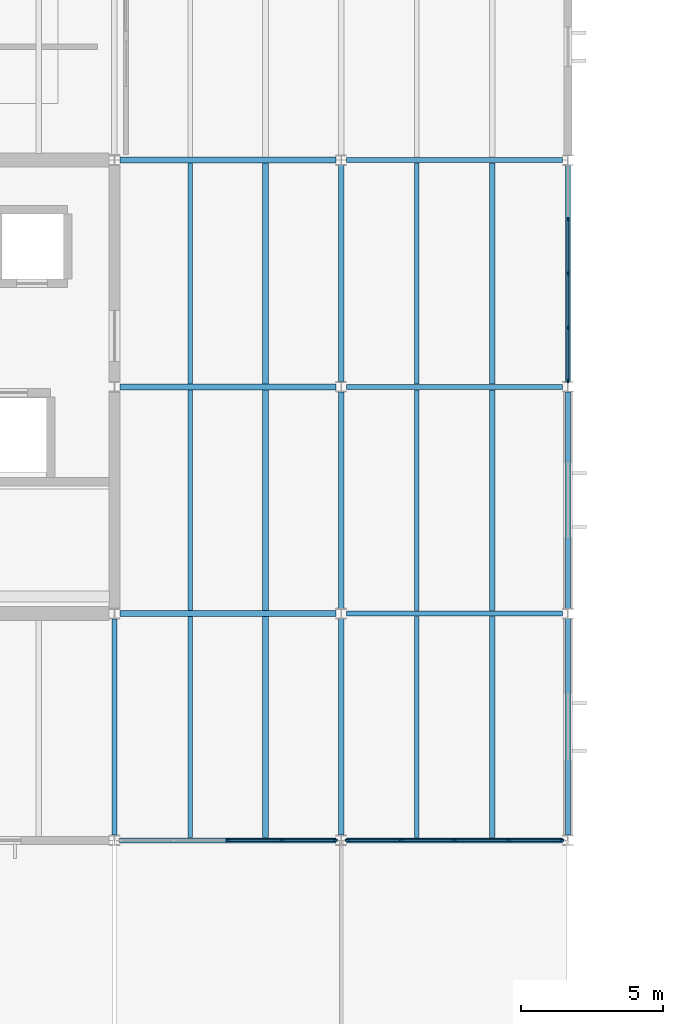
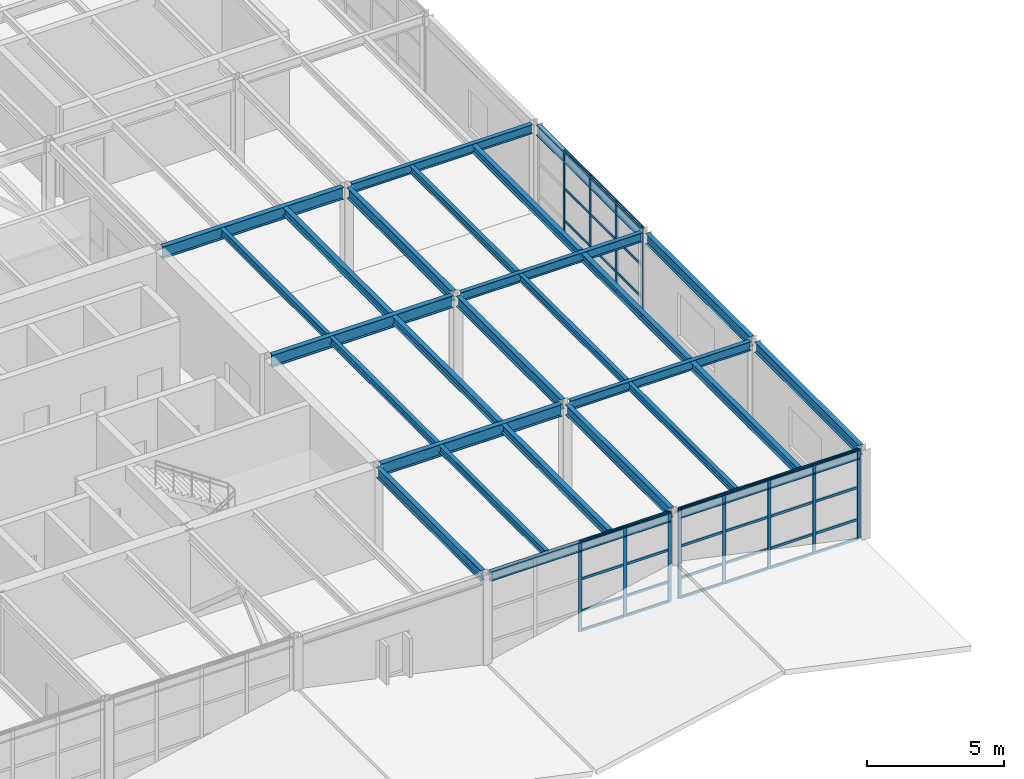
# One storey, part 10 of 34: 48 members, 27 beams, 3 elements without a shape of their own.
"""IFC4 building model written with IfcOpenShell, lengths in metres."""

from ifc_helpers import new_model, si_unit, direction, frame, origin, origin_2d, place, context, subcontext, project, spatial, rectangle, i_section, extrude, material, layer, layer_set, material_profile, profile_set, type_object, element, aggregate, save


model = new_model("IFC4")

# Units and contexts
model_context = context("Model", 3, precision=1e-05, world=origin(), true_north=direction((0.0, 1.0)))
body_context = subcontext(model_context, "Body", "Model", "MODEL_VIEW")
ifc_project = project(units=[si_unit("LENGTHUNIT", "METRE"), si_unit("AREAUNIT", "SQUARE_METRE"), si_unit("VOLUMEUNIT", "CUBIC_METRE"), si_unit("PLANEANGLEUNIT", "RADIAN"), si_unit("MASSUNIT", "GRAM", prefix="KILO")], contexts=[model_context])

# Site, building, storey
site_placement = place(None, origin())
site = spatial("IfcSite", under=ifc_project, at=site_placement, CompositionType="ELEMENT")
building_placement = place(site_placement, origin())
building = spatial("IfcBuilding", under=site, at=building_placement, Name="Varnela Railside Interchange", CompositionType="ELEMENT")
storey_placement = place(building_placement, frame((0.0, 0.0, 19.60009765625)))
storey = spatial("IfcBuildingStorey", under=building, at=storey_placement, Name="L04", CompositionType="ELEMENT", Elevation=19.60009765625)

# Beams
ifc_material_1 = material(Name="Steel AR 350 (350 MPa)", Category="steel")
ifc_material_profile_1 = material_profile(ifc_material_1, i_section(OverallWidth=0.1650390625, OverallDepth=0.31005859375, WebThickness=0.005859375, FlangeThickness=0.009765625, at=origin_2d()), Name="W310x38.7")
ifc_profile_set_1 = profile_set([ifc_material_profile_1], Name="Steel AR 350 (350 MPa)")
beam_type_1 = type_object("IfcBeamType", Name="Composite Floor Joist J-04", PredefinedType="JOIST", material=ifc_profile_set_1)
for number, where, z_axis, x_axis, name in (
    (1, (38.669921875, 46.1044921875, 3.864990234375), (0.0, 1.0, 0.0), (-1.0, 0.0, 0.0), "Composite Floor Joist J-04 (L04) (BM-2404)"),
    (2, (38.669921875, 54.1044921875, 3.864990234375), (0.0, 1.0, 0.0), (-1.0, 0.0, 0.0), "Composite Floor Joist J-04 (L04) (BM-2406)"),
    (3, (38.669921875, 62.1044921875, 3.864990234375), (0.0, 1.0, 0.0), (-1.0, 0.0, 0.0), "Composite Floor Joist J-04 (L04) (BM-2408)"),
    (4, (46.669921875, 46.1044921875, 3.864990234375), (0.0, 1.0, 0.0), (-1.0, 0.0, 0.0), "Composite Floor Joist J-04 (L04) (BM-2416)"),
    (5, (46.669921875, 54.1044921875, 3.864990234375), (0.0, 1.0, 0.0), (-1.0, 0.0, 0.0), "Composite Floor Joist J-04 (L04) (BM-2418)"),
    (6, (46.669921875, 62.1044921875, 3.864990234375), (0.0, 1.0, 0.0), (-1.0, 0.0, 0.0), "Composite Floor Joist J-04 (L04) (BM-2420)"),
):
    element("IfcBeam", number, at=place(storey_placement, frame(where, z_axis=z_axis, x_axis=x_axis)), inside=storey, type_object=beam_type_1, Name=name, PredefinedType="JOIST", context=body_context, shape_type="SweptSolid", body=[
        extrude(i_section(OverallWidth=0.1650390625, OverallDepth=0.31005859375, WebThickness=0.005859375, FlangeThickness=0.009765625, at=origin_2d()), origin(), (0.0, 0.0, 1.0), 7.791015625),
    ])
ifc_material_profile_2 = material_profile(ifc_material_1, i_section(OverallWidth=0.208984375, OverallDepth=0.532958984375, WebThickness=0.01025390625, FlangeThickness=0.015625, at=origin_2d()), Name="W530x92")
ifc_profile_set_2 = profile_set([ifc_material_profile_2], Name="Steel AR 350 (350 MPa)")
beam_type_2 = type_object("IfcBeamType", Name="Composite Girder B-18", PredefinedType="BEAM", material=ifc_profile_set_2)
for number, where, z_axis, x_axis, name in (
    (7, (36.1865234375, 54.0, 3.75341796875), (1.0, 0.0, 0.0), (0.0, 1.0, 0.0), "Composite Girder B-18 (L04) (BM-2435)"),
    (8, (36.1865234375, 62.0, 3.75341796875), (1.0, 0.0, 0.0), (0.0, 1.0, 0.0), "Composite Girder B-18 (L04) (BM-2441)"),
    (9, (36.1865234375, 70.0, 3.75341796875), (1.0, 0.0, 0.0), (0.0, 1.0, 0.0), "Composite Girder B-18 (L04) (BM-2447)"),
):
    element("IfcBeam", number, at=place(storey_placement, frame(where, z_axis=z_axis, x_axis=x_axis)), inside=storey, type_object=beam_type_2, Name=name, PredefinedType="BEAM", context=body_context, shape_type="SweptSolid", body=[
        extrude(i_section(OverallWidth=0.208984375, OverallDepth=0.532958984375, WebThickness=0.01025390625, FlangeThickness=0.015625, at=origin_2d()), origin(), (0.0, 0.0, 1.0), 7.62841796875),
    ])
ifc_material_profile_3 = material_profile(ifc_material_1, i_section(OverallWidth=0.202880859375, OverallDepth=0.346923828125, WebThickness=0.0078125, FlangeThickness=0.013427734375, at=origin_2d()), Name="W360x64")
ifc_profile_set_3 = profile_set([ifc_material_profile_3], Name="Steel AR 350 (350 MPa)")
beam_type_3 = type_object("IfcBeamType", Name="Composite Heavy Joist J-01", PredefinedType="JOIST", material=ifc_profile_set_3)
for number, where, z_axis, x_axis, name in (
    (10, (41.330078125, 46.1044921875, 3.846435546875), (0.0, 1.0, 0.0), (-1.0, 0.0, 0.0), "Composite Heavy Joist J-01 (L04) (BM-2405)"),
    (11, (41.330078125, 54.1044921875, 3.846435546875), (0.0, 1.0, 0.0), (-1.0, 0.0, 0.0), "Composite Heavy Joist J-01 (L04) (BM-2407)"),
    (12, (41.330078125, 62.1044921875, 3.846435546875), (0.0, 1.0, 0.0), (-1.0, 0.0, 0.0), "Composite Heavy Joist J-01 (L04) (BM-2409)"),
    (13, (49.330078125, 46.1044921875, 3.846435546875), (0.0, 1.0, 0.0), (-1.0, 0.0, 0.0), "Composite Heavy Joist J-01 (L04) (BM-2417)"),
    (14, (49.330078125, 54.1044921875, 3.846435546875), (0.0, 1.0, 0.0), (-1.0, 0.0, 0.0), "Composite Heavy Joist J-01 (L04) (BM-2419)"),
    (15, (49.330078125, 62.1044921875, 3.846435546875), (0.0, 1.0, 0.0), (-1.0, 0.0, 0.0), "Composite Heavy Joist J-01 (L04) (BM-2421)"),
):
    element("IfcBeam", number, at=place(storey_placement, frame(where, z_axis=z_axis, x_axis=x_axis)), inside=storey, type_object=beam_type_3, Name=name, PredefinedType="JOIST", context=body_context, shape_type="SweptSolid", body=[
        extrude(i_section(OverallWidth=0.202880859375, OverallDepth=0.346923828125, WebThickness=0.0078125, FlangeThickness=0.013427734375, at=origin_2d()), origin(), (0.0, 0.0, 1.0), 7.791015625),
    ])
ifc_material_profile_4 = material_profile(ifc_material_1, i_section(OverallWidth=0.194091796875, OverallDepth=0.468994140625, WebThickness=0.0126953125, FlangeThickness=0.0205078125, at=origin_2d()), Name="W460x106")
ifc_profile_set_4 = profile_set([ifc_material_profile_4], Name="Steel AR 350 (350 MPa)")
beam_type_4 = type_object("IfcBeamType", Name="Composite Primary Beam B-19", PredefinedType="BEAM", material=ifc_profile_set_4)
for number, where, z_axis, x_axis, name in (
    (16, (44.0, 54.179931640625, 3.785400390625), (0.0, 1.0, 0.0), (-1.0, 0.0, 0.0), "Composite Primary Beam B-19 (L04) (BM-2520)"),
    (17, (44.0, 62.179931640625, 3.785400390625), (0.0, 1.0, 0.0), (-1.0, 0.0, 0.0), "Composite Primary Beam B-19 (L04) (BM-2521)"),
):
    element("IfcBeam", number, at=place(storey_placement, frame(where, z_axis=z_axis, x_axis=x_axis)), inside=storey, type_object=beam_type_4, Name=name, PredefinedType="BEAM", context=body_context, shape_type="SweptSolid", body=[
        extrude(i_section(OverallWidth=0.194091796875, OverallDepth=0.468994140625, WebThickness=0.0126953125, FlangeThickness=0.0205078125, at=origin_2d()), origin(), (0.0, 0.0, 1.0), 7.64013671875),
    ])

# Curtain wall, members
ifc_material_2 = material(Name="Aluminium 6063-T6", Category="aluminium")
ifc_layer = layer(ifc_material_2, 0.035888671875)
ifc_layer_set = layer_set([ifc_layer], Name="Aluminium 6063-T6")
curtain_wall_type = type_object("IfcCurtainWallType", Name="Operations Wing Facade Curtain Wall CW-03", PredefinedType="USERDEFINED", material=ifc_layer_set)
curtain_wall_1_placement = place(storey_placement, origin())
curtain_wall_1 = element("IfcCurtainWall", 18, at=curtain_wall_1_placement, inside=storey, type_object=curtain_wall_type, Name="Curtain Wall CW-03 (L04) (CW-102)", ObjectType="CURTAIN WALL", PredefinedType="USERDEFINED")
ifc_material_profile_5 = material_profile(ifc_material_2, rectangle(XDim=0.06005859375, YDim=0.139892578125, at=origin_2d()), Name="ALU 60x140")
ifc_profile_set_5 = profile_set([ifc_material_profile_5], Name="Aluminium 6063-T6")
member_type_1 = type_object("IfcMemberType", Name="Curtain Wall Mullion ML-01", PredefinedType="MULLION", material=ifc_profile_set_5)
member_1_placement = place(storey_placement, frame((51.784912109375, 46.0, 0.0), z_axis=(0.0, 0.0, 1.0), x_axis=(0.0, -1.0, 0.0)))
member_1 = element("IfcMember", 19, at=member_1_placement, type_object=member_type_1, Name="CW-03 mullion 1", PredefinedType="MULLION", context=body_context, shape_type="SweptSolid", body=[
    extrude(rectangle(XDim=0.06005859375, YDim=0.139892578125, at=origin_2d()), origin(), (0.0, 0.0, 1.0), 4.02001953125),
])
member_2_placement = place(storey_placement, frame((49.907470703125, 46.0, 0.0), z_axis=(0.0, 0.0, 1.0), x_axis=(0.0, -1.0, 0.0)))
member_2 = element("IfcMember", 20, at=member_2_placement, type_object=member_type_1, Name="CW-03 mullion 2", PredefinedType="MULLION", context=body_context, shape_type="SweptSolid", body=[
    extrude(rectangle(XDim=0.06005859375, YDim=0.139892578125, at=origin_2d()), origin(), (0.0, 0.0, 1.0), 4.02001953125),
])
member_3_placement = place(storey_placement, frame((48.0, 46.0, 0.0), z_axis=(0.0, 0.0, 1.0), x_axis=(0.0, -1.0, 0.0)))
member_3 = element("IfcMember", 21, at=member_3_placement, type_object=member_type_1, Name="CW-03 mullion 3", PredefinedType="MULLION", context=body_context, shape_type="SweptSolid", body=[
    extrude(rectangle(XDim=0.06005859375, YDim=0.139892578125, at=origin_2d()), origin(), (0.0, 0.0, 1.0), 4.02001953125),
])
member_4_placement = place(storey_placement, frame((46.092529296875, 46.0, 0.0), z_axis=(0.0, 0.0, 1.0), x_axis=(0.0, -1.0, 0.0)))
member_4 = element("IfcMember", 22, at=member_4_placement, type_object=member_type_1, Name="CW-03 mullion 4", PredefinedType="MULLION", context=body_context, shape_type="SweptSolid", body=[
    extrude(rectangle(XDim=0.06005859375, YDim=0.139892578125, at=origin_2d()), origin(), (0.0, 0.0, 1.0), 4.02001953125),
])
member_5_placement = place(storey_placement, frame((44.215087890625, 46.0, 0.0), z_axis=(0.0, 0.0, 1.0), x_axis=(0.0, -1.0, 0.0)))
member_5 = element("IfcMember", 23, at=member_5_placement, type_object=member_type_1, Name="CW-03 mullion 5", PredefinedType="MULLION", context=body_context, shape_type="SweptSolid", body=[
    extrude(rectangle(XDim=0.06005859375, YDim=0.139892578125, at=origin_2d()), origin(), (0.0, 0.0, 1.0), 4.02001953125),
])

curtain_wall_2_placement = place(storey_placement, origin())
curtain_wall_2 = element("IfcCurtainWall", 24, at=curtain_wall_2_placement, inside=storey, type_object=curtain_wall_type, Name="Curtain Wall CW-03 (L04) (CW-110)", ObjectType="CURTAIN WALL", PredefinedType="USERDEFINED")
member_6_placement = place(storey_placement, frame((43.784912109375, 46.0, 0.0), z_axis=(0.0, 0.0, 1.0), x_axis=(0.0, -1.0, 0.0)))
member_6 = element("IfcMember", 25, at=member_6_placement, type_object=member_type_1, Name="CW-03 mullion 1", PredefinedType="MULLION", context=body_context, shape_type="SweptSolid", body=[
    extrude(rectangle(XDim=0.06005859375, YDim=0.139892578125, at=origin_2d()), origin(), (0.0, 0.0, 1.0), 4.02001953125),
])
member_7_placement = place(storey_placement, frame((41.907470703125, 46.0, 0.0), z_axis=(0.0, 0.0, 1.0), x_axis=(0.0, -1.0, 0.0)))
member_7 = element("IfcMember", 26, at=member_7_placement, type_object=member_type_1, Name="CW-03 mullion 2", PredefinedType="MULLION", context=body_context, shape_type="SweptSolid", body=[
    extrude(rectangle(XDim=0.06005859375, YDim=0.139892578125, at=origin_2d()), origin(), (0.0, 0.0, 1.0), 4.02001953125),
])
member_8_placement = place(storey_placement, frame((40.0, 46.0, 0.0), z_axis=(0.0, 0.0, 1.0), x_axis=(0.0, -1.0, 0.0)))
member_8 = element("IfcMember", 27, at=member_8_placement, type_object=member_type_1, Name="CW-03 mullion 3", PredefinedType="MULLION", context=body_context, shape_type="SweptSolid", body=[
    extrude(rectangle(XDim=0.06005859375, YDim=0.139892578125, at=origin_2d()), origin(), (0.0, 0.0, 1.0), 4.02001953125),
])

curtain_wall_3_placement = place(storey_placement, origin())
curtain_wall_3 = element("IfcCurtainWall", 28, at=curtain_wall_3_placement, inside=storey, type_object=curtain_wall_type, Name="Curtain Wall CW-03 (L04) (CW-112)", ObjectType="CURTAIN WALL", PredefinedType="USERDEFINED")
member_9_placement = place(storey_placement, frame((52.0, 67.909912109375, 0.0), z_axis=(0.0, 0.0, 1.0), x_axis=(1.0, 0.0, 0.0)))
member_9 = element("IfcMember", 29, at=member_9_placement, type_object=member_type_1, Name="CW-03 mullion 2", PredefinedType="MULLION", context=body_context, shape_type="SweptSolid", body=[
    extrude(rectangle(XDim=0.06005859375, YDim=0.139892578125, at=origin_2d()), origin(), (0.0, 0.0, 1.0), 4.02001953125),
])
member_10_placement = place(storey_placement, frame((52.0, 66.0, 0.0), z_axis=(0.0, 0.0, 1.0), x_axis=(1.0, 0.0, 0.0)))
member_10 = element("IfcMember", 30, at=member_10_placement, type_object=member_type_1, Name="CW-03 mullion 3", PredefinedType="MULLION", context=body_context, shape_type="SweptSolid", body=[
    extrude(rectangle(XDim=0.06005859375, YDim=0.139892578125, at=origin_2d()), origin(), (0.0, 0.0, 1.0), 4.02001953125),
])
member_11_placement = place(storey_placement, frame((52.0, 64.090087890625, 0.0), z_axis=(0.0, 0.0, 1.0), x_axis=(1.0, 0.0, 0.0)))
member_11 = element("IfcMember", 31, at=member_11_placement, type_object=member_type_1, Name="CW-03 mullion 4", PredefinedType="MULLION", context=body_context, shape_type="SweptSolid", body=[
    extrude(rectangle(XDim=0.06005859375, YDim=0.139892578125, at=origin_2d()), origin(), (0.0, 0.0, 1.0), 4.02001953125),
])
member_12_placement = place(storey_placement, frame((52.0, 62.2099609375, 0.0), z_axis=(0.0, 0.0, 1.0), x_axis=(1.0, 0.0, 0.0)))
member_12 = element("IfcMember", 32, at=member_12_placement, type_object=member_type_1, Name="CW-03 mullion 5", PredefinedType="MULLION", context=body_context, shape_type="SweptSolid", body=[
    extrude(rectangle(XDim=0.06005859375, YDim=0.139892578125, at=origin_2d()), origin(), (0.0, 0.0, 1.0), 4.02001953125),
])

# Member
ifc_material_profile_6 = material_profile(ifc_material_2, rectangle(XDim=0.06005859375, YDim=0.110107421875, at=origin_2d()), Name="ALU 60x110")
ifc_profile_set_6 = profile_set([ifc_material_profile_6], Name="Aluminium 6063-T6")
member_type_2 = type_object("IfcMemberType", Name="Curtain Wall Transom TR-01", PredefinedType="USERDEFINED", material=ifc_profile_set_6)
member_13_placement = place(storey_placement, frame((51.7548828125, 46.0, 0.02978515625), z_axis=(-1.0, 0.0, 0.0), x_axis=(0.0, -1.0, 0.0)))
member_13 = element("IfcMember", 33, at=member_13_placement, type_object=member_type_2, Name="CW-03 transom 1.1", ObjectType="TRANSOM", PredefinedType="USERDEFINED", context=body_context, shape_type="SweptSolid", body=[
    extrude(rectangle(XDim=0.06005859375, YDim=0.110107421875, at=origin_2d()), origin(), (0.0, 0.0, 1.0), 1.8173828125),
])

member_14_placement = place(storey_placement, frame((51.7548828125, 46.0, 0.89990234375), z_axis=(-1.0, 0.0, 0.0), x_axis=(0.0, -1.0, 0.0)))
member_14 = element("IfcMember", 34, at=member_14_placement, type_object=member_type_2, Name="CW-03 transom 1.2", ObjectType="TRANSOM", PredefinedType="USERDEFINED", context=body_context, shape_type="SweptSolid", body=[
    extrude(rectangle(XDim=0.06005859375, YDim=0.110107421875, at=origin_2d()), origin(), (0.0, 0.0, 1.0), 1.8173828125),
])

member_15_placement = place(storey_placement, frame((51.7548828125, 46.0, 2.33154296875), z_axis=(-1.0, 0.0, 0.0), x_axis=(0.0, -1.0, 0.0)))
member_15 = element("IfcMember", 35, at=member_15_placement, type_object=member_type_2, Name="CW-03 transom 1.3", ObjectType="TRANSOM", PredefinedType="USERDEFINED", context=body_context, shape_type="SweptSolid", body=[
    extrude(rectangle(XDim=0.06005859375, YDim=0.110107421875, at=origin_2d()), origin(), (0.0, 0.0, 1.0), 1.8173828125),
])

member_16_placement = place(storey_placement, frame((51.7548828125, 46.0, 3.989990234375), z_axis=(-1.0, 0.0, 0.0), x_axis=(0.0, -1.0, 0.0)))
member_16 = element("IfcMember", 36, at=member_16_placement, type_object=member_type_2, Name="CW-03 transom 1.4", ObjectType="TRANSOM", PredefinedType="USERDEFINED", context=body_context, shape_type="SweptSolid", body=[
    extrude(rectangle(XDim=0.06005859375, YDim=0.110107421875, at=origin_2d()), origin(), (0.0, 0.0, 1.0), 1.8173828125),
])

member_17_placement = place(storey_placement, frame((49.87744140625, 46.0, 0.02978515625), z_axis=(-1.0, 0.0, 0.0), x_axis=(0.0, -1.0, 0.0)))
member_17 = element("IfcMember", 37, at=member_17_placement, type_object=member_type_2, Name="CW-03 transom 2.1", ObjectType="TRANSOM", PredefinedType="USERDEFINED", context=body_context, shape_type="SweptSolid", body=[
    extrude(rectangle(XDim=0.06005859375, YDim=0.110107421875, at=origin_2d()), origin(), (0.0, 0.0, 1.0), 1.847412109375),
])

member_18_placement = place(storey_placement, frame((49.87744140625, 46.0, 0.89990234375), z_axis=(-1.0, 0.0, 0.0), x_axis=(0.0, -1.0, 0.0)))
member_18 = element("IfcMember", 38, at=member_18_placement, type_object=member_type_2, Name="CW-03 transom 2.2", ObjectType="TRANSOM", PredefinedType="USERDEFINED", context=body_context, shape_type="SweptSolid", body=[
    extrude(rectangle(XDim=0.06005859375, YDim=0.110107421875, at=origin_2d()), origin(), (0.0, 0.0, 1.0), 1.847412109375),
])

member_19_placement = place(storey_placement, frame((49.87744140625, 46.0, 2.33154296875), z_axis=(-1.0, 0.0, 0.0), x_axis=(0.0, -1.0, 0.0)))
member_19 = element("IfcMember", 39, at=member_19_placement, type_object=member_type_2, Name="CW-03 transom 2.3", ObjectType="TRANSOM", PredefinedType="USERDEFINED", context=body_context, shape_type="SweptSolid", body=[
    extrude(rectangle(XDim=0.06005859375, YDim=0.110107421875, at=origin_2d()), origin(), (0.0, 0.0, 1.0), 1.847412109375),
])

member_20_placement = place(storey_placement, frame((49.87744140625, 46.0, 3.989990234375), z_axis=(-1.0, 0.0, 0.0), x_axis=(0.0, -1.0, 0.0)))
member_20 = element("IfcMember", 40, at=member_20_placement, type_object=member_type_2, Name="CW-03 transom 2.4", ObjectType="TRANSOM", PredefinedType="USERDEFINED", context=body_context, shape_type="SweptSolid", body=[
    extrude(rectangle(XDim=0.06005859375, YDim=0.110107421875, at=origin_2d()), origin(), (0.0, 0.0, 1.0), 1.847412109375),
])

member_21_placement = place(storey_placement, frame((47.969970703125, 46.0, 0.02978515625), z_axis=(-1.0, 0.0, 0.0), x_axis=(0.0, -1.0, 0.0)))
member_21 = element("IfcMember", 41, at=member_21_placement, type_object=member_type_2, Name="CW-03 transom 3.1", ObjectType="TRANSOM", PredefinedType="USERDEFINED", context=body_context, shape_type="SweptSolid", body=[
    extrude(rectangle(XDim=0.06005859375, YDim=0.110107421875, at=origin_2d()), origin(), (0.0, 0.0, 1.0), 1.847412109375),
])

member_22_placement = place(storey_placement, frame((47.969970703125, 46.0, 0.89990234375), z_axis=(-1.0, 0.0, 0.0), x_axis=(0.0, -1.0, 0.0)))
member_22 = element("IfcMember", 42, at=member_22_placement, type_object=member_type_2, Name="CW-03 transom 3.2", ObjectType="TRANSOM", PredefinedType="USERDEFINED", context=body_context, shape_type="SweptSolid", body=[
    extrude(rectangle(XDim=0.06005859375, YDim=0.110107421875, at=origin_2d()), origin(), (0.0, 0.0, 1.0), 1.847412109375),
])

member_23_placement = place(storey_placement, frame((47.969970703125, 46.0, 2.33154296875), z_axis=(-1.0, 0.0, 0.0), x_axis=(0.0, -1.0, 0.0)))
member_23 = element("IfcMember", 43, at=member_23_placement, type_object=member_type_2, Name="CW-03 transom 3.3", ObjectType="TRANSOM", PredefinedType="USERDEFINED", context=body_context, shape_type="SweptSolid", body=[
    extrude(rectangle(XDim=0.06005859375, YDim=0.110107421875, at=origin_2d()), origin(), (0.0, 0.0, 1.0), 1.847412109375),
])

member_24_placement = place(storey_placement, frame((47.969970703125, 46.0, 3.989990234375), z_axis=(-1.0, 0.0, 0.0), x_axis=(0.0, -1.0, 0.0)))
member_24 = element("IfcMember", 44, at=member_24_placement, type_object=member_type_2, Name="CW-03 transom 3.4", ObjectType="TRANSOM", PredefinedType="USERDEFINED", context=body_context, shape_type="SweptSolid", body=[
    extrude(rectangle(XDim=0.06005859375, YDim=0.110107421875, at=origin_2d()), origin(), (0.0, 0.0, 1.0), 1.847412109375),
])

member_25_placement = place(storey_placement, frame((46.0625, 46.0, 0.02978515625), z_axis=(-1.0, 0.0, 0.0), x_axis=(0.0, -1.0, 0.0)))
member_25 = element("IfcMember", 45, at=member_25_placement, type_object=member_type_2, Name="CW-03 transom 4.1", ObjectType="TRANSOM", PredefinedType="USERDEFINED", context=body_context, shape_type="SweptSolid", body=[
    extrude(rectangle(XDim=0.06005859375, YDim=0.110107421875, at=origin_2d()), origin(), (0.0, 0.0, 1.0), 1.8173828125),
])

member_26_placement = place(storey_placement, frame((46.0625, 46.0, 0.89990234375), z_axis=(-1.0, 0.0, 0.0), x_axis=(0.0, -1.0, 0.0)))
member_26 = element("IfcMember", 46, at=member_26_placement, type_object=member_type_2, Name="CW-03 transom 4.2", ObjectType="TRANSOM", PredefinedType="USERDEFINED", context=body_context, shape_type="SweptSolid", body=[
    extrude(rectangle(XDim=0.06005859375, YDim=0.110107421875, at=origin_2d()), origin(), (0.0, 0.0, 1.0), 1.8173828125),
])

member_27_placement = place(storey_placement, frame((46.0625, 46.0, 2.33154296875), z_axis=(-1.0, 0.0, 0.0), x_axis=(0.0, -1.0, 0.0)))
member_27 = element("IfcMember", 47, at=member_27_placement, type_object=member_type_2, Name="CW-03 transom 4.3", ObjectType="TRANSOM", PredefinedType="USERDEFINED", context=body_context, shape_type="SweptSolid", body=[
    extrude(rectangle(XDim=0.06005859375, YDim=0.110107421875, at=origin_2d()), origin(), (0.0, 0.0, 1.0), 1.8173828125),
])

member_28_placement = place(storey_placement, frame((46.0625, 46.0, 3.989990234375), z_axis=(-1.0, 0.0, 0.0), x_axis=(0.0, -1.0, 0.0)))
member_28 = element("IfcMember", 48, at=member_28_placement, type_object=member_type_2, Name="CW-03 transom 4.4", ObjectType="TRANSOM", PredefinedType="USERDEFINED", context=body_context, shape_type="SweptSolid", body=[
    extrude(rectangle(XDim=0.06005859375, YDim=0.110107421875, at=origin_2d()), origin(), (0.0, 0.0, 1.0), 1.8173828125),
])

aggregate(curtain_wall_1, [member_1, member_2, member_3, member_4, member_5, member_13, member_14, member_15, member_16, member_17, member_18, member_19, member_20, member_21, member_22, member_23, member_24, member_25, member_26, member_27, member_28])

member_29_placement = place(storey_placement, frame((43.7548828125, 46.0, 0.02978515625), z_axis=(-1.0, 0.0, 0.0), x_axis=(0.0, -1.0, 0.0)))
member_29 = element("IfcMember", 49, at=member_29_placement, type_object=member_type_2, Name="CW-03 transom 1.1", ObjectType="TRANSOM", PredefinedType="USERDEFINED", context=body_context, shape_type="SweptSolid", body=[
    extrude(rectangle(XDim=0.06005859375, YDim=0.110107421875, at=origin_2d()), origin(), (0.0, 0.0, 1.0), 1.8173828125),
])

member_30_placement = place(storey_placement, frame((43.7548828125, 46.0, 0.89990234375), z_axis=(-1.0, 0.0, 0.0), x_axis=(0.0, -1.0, 0.0)))
member_30 = element("IfcMember", 50, at=member_30_placement, type_object=member_type_2, Name="CW-03 transom 1.2", ObjectType="TRANSOM", PredefinedType="USERDEFINED", context=body_context, shape_type="SweptSolid", body=[
    extrude(rectangle(XDim=0.06005859375, YDim=0.110107421875, at=origin_2d()), origin(), (0.0, 0.0, 1.0), 1.8173828125),
])

member_31_placement = place(storey_placement, frame((43.7548828125, 46.0, 2.33154296875), z_axis=(-1.0, 0.0, 0.0), x_axis=(0.0, -1.0, 0.0)))
member_31 = element("IfcMember", 51, at=member_31_placement, type_object=member_type_2, Name="CW-03 transom 1.3", ObjectType="TRANSOM", PredefinedType="USERDEFINED", context=body_context, shape_type="SweptSolid", body=[
    extrude(rectangle(XDim=0.06005859375, YDim=0.110107421875, at=origin_2d()), origin(), (0.0, 0.0, 1.0), 1.8173828125),
])

member_32_placement = place(storey_placement, frame((43.7548828125, 46.0, 3.989990234375), z_axis=(-1.0, 0.0, 0.0), x_axis=(0.0, -1.0, 0.0)))
member_32 = element("IfcMember", 52, at=member_32_placement, type_object=member_type_2, Name="CW-03 transom 1.4", ObjectType="TRANSOM", PredefinedType="USERDEFINED", context=body_context, shape_type="SweptSolid", body=[
    extrude(rectangle(XDim=0.06005859375, YDim=0.110107421875, at=origin_2d()), origin(), (0.0, 0.0, 1.0), 1.8173828125),
])

member_33_placement = place(storey_placement, frame((41.87744140625, 46.0, 0.02978515625), z_axis=(-1.0, 0.0, 0.0), x_axis=(0.0, -1.0, 0.0)))
member_33 = element("IfcMember", 53, at=member_33_placement, type_object=member_type_2, Name="CW-03 transom 2.1", ObjectType="TRANSOM", PredefinedType="USERDEFINED", context=body_context, shape_type="SweptSolid", body=[
    extrude(rectangle(XDim=0.06005859375, YDim=0.110107421875, at=origin_2d()), origin(), (0.0, 0.0, 1.0), 1.847412109375),
])

member_34_placement = place(storey_placement, frame((41.87744140625, 46.0, 0.89990234375), z_axis=(-1.0, 0.0, 0.0), x_axis=(0.0, -1.0, 0.0)))
member_34 = element("IfcMember", 54, at=member_34_placement, type_object=member_type_2, Name="CW-03 transom 2.2", ObjectType="TRANSOM", PredefinedType="USERDEFINED", context=body_context, shape_type="SweptSolid", body=[
    extrude(rectangle(XDim=0.06005859375, YDim=0.110107421875, at=origin_2d()), origin(), (0.0, 0.0, 1.0), 1.847412109375),
])

member_35_placement = place(storey_placement, frame((41.87744140625, 46.0, 2.33154296875), z_axis=(-1.0, 0.0, 0.0), x_axis=(0.0, -1.0, 0.0)))
member_35 = element("IfcMember", 55, at=member_35_placement, type_object=member_type_2, Name="CW-03 transom 2.3", ObjectType="TRANSOM", PredefinedType="USERDEFINED", context=body_context, shape_type="SweptSolid", body=[
    extrude(rectangle(XDim=0.06005859375, YDim=0.110107421875, at=origin_2d()), origin(), (0.0, 0.0, 1.0), 1.847412109375),
])

member_36_placement = place(storey_placement, frame((41.87744140625, 46.0, 3.989990234375), z_axis=(-1.0, 0.0, 0.0), x_axis=(0.0, -1.0, 0.0)))
member_36 = element("IfcMember", 56, at=member_36_placement, type_object=member_type_2, Name="CW-03 transom 2.4", ObjectType="TRANSOM", PredefinedType="USERDEFINED", context=body_context, shape_type="SweptSolid", body=[
    extrude(rectangle(XDim=0.06005859375, YDim=0.110107421875, at=origin_2d()), origin(), (0.0, 0.0, 1.0), 1.847412109375),
])

aggregate(curtain_wall_2, [member_6, member_7, member_8, member_29, member_30, member_31, member_32, member_33, member_34, member_35, member_36])

member_37_placement = place(storey_placement, frame((52.0, 67.8798828125, 0.02978515625), z_axis=(0.0, -1.0, 0.0), x_axis=(1.0, 0.0, 0.0)))
member_37 = element("IfcMember", 57, at=member_37_placement, type_object=member_type_2, Name="CW-03 transom 2.1", ObjectType="TRANSOM", PredefinedType="USERDEFINED", context=body_context, shape_type="SweptSolid", body=[
    extrude(rectangle(XDim=0.06005859375, YDim=0.110107421875, at=origin_2d()), origin(), (0.0, 0.0, 1.0), 1.849853515625),
])

member_38_placement = place(storey_placement, frame((52.0, 67.8798828125, 0.89990234375), z_axis=(0.0, -1.0, 0.0), x_axis=(1.0, 0.0, 0.0)))
member_38 = element("IfcMember", 58, at=member_38_placement, type_object=member_type_2, Name="CW-03 transom 2.2", ObjectType="TRANSOM", PredefinedType="USERDEFINED", context=body_context, shape_type="SweptSolid", body=[
    extrude(rectangle(XDim=0.06005859375, YDim=0.110107421875, at=origin_2d()), origin(), (0.0, 0.0, 1.0), 1.849853515625),
])

member_39_placement = place(storey_placement, frame((52.0, 67.8798828125, 2.33154296875), z_axis=(0.0, -1.0, 0.0), x_axis=(1.0, 0.0, 0.0)))
member_39 = element("IfcMember", 59, at=member_39_placement, type_object=member_type_2, Name="CW-03 transom 2.3", ObjectType="TRANSOM", PredefinedType="USERDEFINED", context=body_context, shape_type="SweptSolid", body=[
    extrude(rectangle(XDim=0.06005859375, YDim=0.110107421875, at=origin_2d()), origin(), (0.0, 0.0, 1.0), 1.849853515625),
])

member_40_placement = place(storey_placement, frame((52.0, 67.8798828125, 3.989990234375), z_axis=(0.0, -1.0, 0.0), x_axis=(1.0, 0.0, 0.0)))
member_40 = element("IfcMember", 60, at=member_40_placement, type_object=member_type_2, Name="CW-03 transom 2.4", ObjectType="TRANSOM", PredefinedType="USERDEFINED", context=body_context, shape_type="SweptSolid", body=[
    extrude(rectangle(XDim=0.06005859375, YDim=0.110107421875, at=origin_2d()), origin(), (0.0, 0.0, 1.0), 1.849853515625),
])

member_41_placement = place(storey_placement, frame((52.0, 65.969970703125, 0.02978515625), z_axis=(0.0, -1.0, 0.0), x_axis=(1.0, 0.0, 0.0)))
member_41 = element("IfcMember", 61, at=member_41_placement, type_object=member_type_2, Name="CW-03 transom 3.1", ObjectType="TRANSOM", PredefinedType="USERDEFINED", context=body_context, shape_type="SweptSolid", body=[
    extrude(rectangle(XDim=0.06005859375, YDim=0.110107421875, at=origin_2d()), origin(), (0.0, 0.0, 1.0), 1.849853515625),
])

member_42_placement = place(storey_placement, frame((52.0, 65.969970703125, 0.89990234375), z_axis=(0.0, -1.0, 0.0), x_axis=(1.0, 0.0, 0.0)))
member_42 = element("IfcMember", 62, at=member_42_placement, type_object=member_type_2, Name="CW-03 transom 3.2", ObjectType="TRANSOM", PredefinedType="USERDEFINED", context=body_context, shape_type="SweptSolid", body=[
    extrude(rectangle(XDim=0.06005859375, YDim=0.110107421875, at=origin_2d()), origin(), (0.0, 0.0, 1.0), 1.849853515625),
])

member_43_placement = place(storey_placement, frame((52.0, 65.969970703125, 2.33154296875), z_axis=(0.0, -1.0, 0.0), x_axis=(1.0, 0.0, 0.0)))
member_43 = element("IfcMember", 63, at=member_43_placement, type_object=member_type_2, Name="CW-03 transom 3.3", ObjectType="TRANSOM", PredefinedType="USERDEFINED", context=body_context, shape_type="SweptSolid", body=[
    extrude(rectangle(XDim=0.06005859375, YDim=0.110107421875, at=origin_2d()), origin(), (0.0, 0.0, 1.0), 1.849853515625),
])

member_44_placement = place(storey_placement, frame((52.0, 65.969970703125, 3.989990234375), z_axis=(0.0, -1.0, 0.0), x_axis=(1.0, 0.0, 0.0)))
member_44 = element("IfcMember", 64, at=member_44_placement, type_object=member_type_2, Name="CW-03 transom 3.4", ObjectType="TRANSOM", PredefinedType="USERDEFINED", context=body_context, shape_type="SweptSolid", body=[
    extrude(rectangle(XDim=0.06005859375, YDim=0.110107421875, at=origin_2d()), origin(), (0.0, 0.0, 1.0), 1.849853515625),
])

member_45_placement = place(storey_placement, frame((52.0, 64.06005859375, 0.02978515625), z_axis=(0.0, -1.0, 0.0), x_axis=(1.0, 0.0, 0.0)))
member_45 = element("IfcMember", 65, at=member_45_placement, type_object=member_type_2, Name="CW-03 transom 4.1", ObjectType="TRANSOM", PredefinedType="USERDEFINED", context=body_context, shape_type="SweptSolid", body=[
    extrude(rectangle(XDim=0.06005859375, YDim=0.110107421875, at=origin_2d()), origin(), (0.0, 0.0, 1.0), 1.820068359375),
])

member_46_placement = place(storey_placement, frame((52.0, 64.06005859375, 0.89990234375), z_axis=(0.0, -1.0, 0.0), x_axis=(1.0, 0.0, 0.0)))
member_46 = element("IfcMember", 66, at=member_46_placement, type_object=member_type_2, Name="CW-03 transom 4.2", ObjectType="TRANSOM", PredefinedType="USERDEFINED", context=body_context, shape_type="SweptSolid", body=[
    extrude(rectangle(XDim=0.06005859375, YDim=0.110107421875, at=origin_2d()), origin(), (0.0, 0.0, 1.0), 1.820068359375),
])

member_47_placement = place(storey_placement, frame((52.0, 64.06005859375, 2.33154296875), z_axis=(0.0, -1.0, 0.0), x_axis=(1.0, 0.0, 0.0)))
member_47 = element("IfcMember", 67, at=member_47_placement, type_object=member_type_2, Name="CW-03 transom 4.3", ObjectType="TRANSOM", PredefinedType="USERDEFINED", context=body_context, shape_type="SweptSolid", body=[
    extrude(rectangle(XDim=0.06005859375, YDim=0.110107421875, at=origin_2d()), origin(), (0.0, 0.0, 1.0), 1.820068359375),
])

member_48_placement = place(storey_placement, frame((52.0, 64.06005859375, 3.989990234375), z_axis=(0.0, -1.0, 0.0), x_axis=(1.0, 0.0, 0.0)))
member_48 = element("IfcMember", 68, at=member_48_placement, type_object=member_type_2, Name="CW-03 transom 4.4", ObjectType="TRANSOM", PredefinedType="USERDEFINED", context=body_context, shape_type="SweptSolid", body=[
    extrude(rectangle(XDim=0.06005859375, YDim=0.110107421875, at=origin_2d()), origin(), (0.0, 0.0, 1.0), 1.820068359375),
])

aggregate(curtain_wall_3, [member_9, member_10, member_11, member_12, member_37, member_38, member_39, member_40, member_41, member_42, member_43, member_44, member_45, member_46, member_47, member_48])

# Beams
ifc_material_profile_7 = material_profile(ifc_material_1, i_section(OverallWidth=0.19091796875, OverallDepth=0.4599609375, WebThickness=0.010009765625, FlangeThickness=0.01611328125, at=origin_2d()), Name="W460x82")
ifc_profile_set_7 = profile_set([ifc_material_profile_7], Name="Steel AR 350 (350 MPa)")
beam_type_5 = type_object("IfcBeamType", Name="Steel Perimeter Spandrel SP-01", PredefinedType="SPANDREL", material=ifc_profile_set_7)
beam_placement = place(storey_placement, frame((36.0, 46.179931640625, 3.789794921875), z_axis=(0.0, 1.0, 0.0), x_axis=(-1.0, 0.0, 0.0)))
element("IfcBeam", 69, at=beam_placement, inside=storey, type_object=beam_type_5, Name="Steel Perimeter Spandrel SP-01 (L04) (BM-2515)", PredefinedType="SPANDREL", context=body_context, shape_type="SweptSolid", body=[
    extrude(i_section(OverallWidth=0.19091796875, OverallDepth=0.4599609375, WebThickness=0.010009765625, FlangeThickness=0.01611328125, at=origin_2d()), origin(), (0.0, 0.0, 1.0), 7.635986328125),
])
for number, where, z_axis, x_axis, name in (
    (70, (44.0, 46.179931640625, 3.789794921875), (0.0, 1.0, 0.0), (-1.0, 0.0, 0.0), "Steel Perimeter Spandrel SP-01 (L04) (BM-2519)"),
    (71, (52.0, 46.179931640625, 3.789794921875), (0.0, 1.0, 0.0), (-1.0, 0.0, 0.0), "Steel Perimeter Spandrel SP-01 (L04) (BM-2525)"),
    (72, (52.0, 54.179931640625, 3.789794921875), (0.0, 1.0, 0.0), (-1.0, 0.0, 0.0), "Steel Perimeter Spandrel SP-01 (L04) (BM-2526)"),
    (73, (52.0, 62.179931640625, 3.789794921875), (0.0, 1.0, 0.0), (-1.0, 0.0, 0.0), "Steel Perimeter Spandrel SP-01 (L04) (BM-2527)"),
):
    element("IfcBeam", number, at=place(storey_placement, frame(where, z_axis=z_axis, x_axis=x_axis)), inside=storey, type_object=beam_type_5, Name=name, PredefinedType="SPANDREL", context=body_context, shape_type="SweptSolid", body=[
        extrude(i_section(OverallWidth=0.19091796875, OverallDepth=0.4599609375, WebThickness=0.010009765625, FlangeThickness=0.01611328125, at=origin_2d()), origin(), (0.0, 0.0, 1.0), 7.64013671875),
    ])
ifc_material_profile_8 = material_profile(ifc_material_1, i_section(OverallWidth=0.178955078125, OverallDepth=0.409912109375, WebThickness=0.0087890625, FlangeThickness=0.014404296875, at=origin_2d()), Name="W410x67")
ifc_profile_set_8 = profile_set([ifc_material_profile_8], Name="Steel AR 350 (350 MPa)")
beam_type_6 = type_object("IfcBeamType", Name="Steel Terrace Spandrel SP-02", PredefinedType="SPANDREL", material=ifc_profile_set_8)
for number, where, z_axis, x_axis, name in (
    (74, (36.18505859375, 46.0, 3.81494140625), (1.0, 0.0, 0.0), (0.0, 1.0, 0.0), "Steel Terrace Spandrel SP-02 (L04) (BM-2429)"),
    (75, (44.18505859375, 46.0, 3.81494140625), (1.0, 0.0, 0.0), (0.0, 1.0, 0.0), "Steel Terrace Spandrel SP-02 (L04) (BM-2430)"),
    (76, (44.18505859375, 54.0, 3.81494140625), (1.0, 0.0, 0.0), (0.0, 1.0, 0.0), "Steel Terrace Spandrel SP-02 (L04) (BM-2436)"),
    (77, (44.18505859375, 62.0, 3.81494140625), (1.0, 0.0, 0.0), (0.0, 1.0, 0.0), "Steel Terrace Spandrel SP-02 (L04) (BM-2442)"),
    (78, (44.18505859375, 70.0, 3.81494140625), (1.0, 0.0, 0.0), (0.0, 1.0, 0.0), "Steel Terrace Spandrel SP-02 (L04) (BM-2448)"),
):
    element("IfcBeam", number, at=place(storey_placement, frame(where, z_axis=z_axis, x_axis=x_axis)), inside=storey, type_object=beam_type_6, Name=name, PredefinedType="SPANDREL", context=body_context, shape_type="SweptSolid", body=[
        extrude(i_section(OverallWidth=0.178955078125, OverallDepth=0.409912109375, WebThickness=0.0087890625, FlangeThickness=0.014404296875, at=origin_2d()), origin(), (0.0, 0.0, 1.0), 7.6298828125),
    ])

save(model, "model.ifc")
